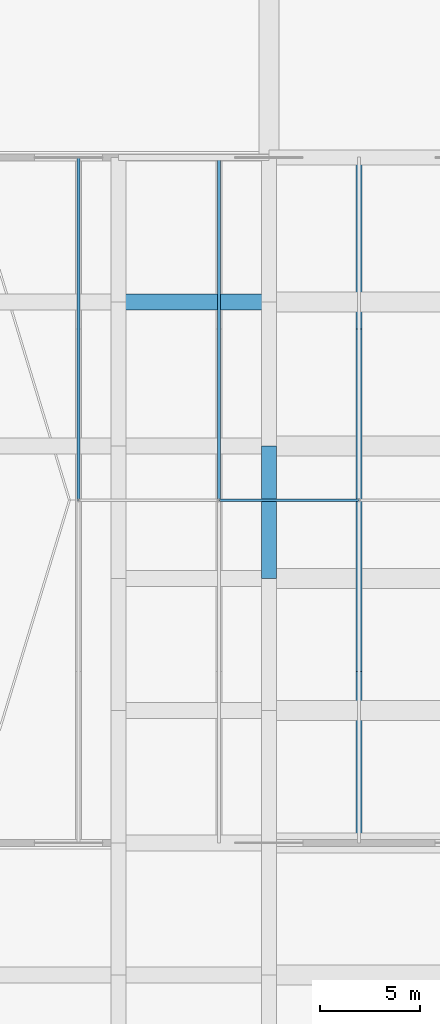
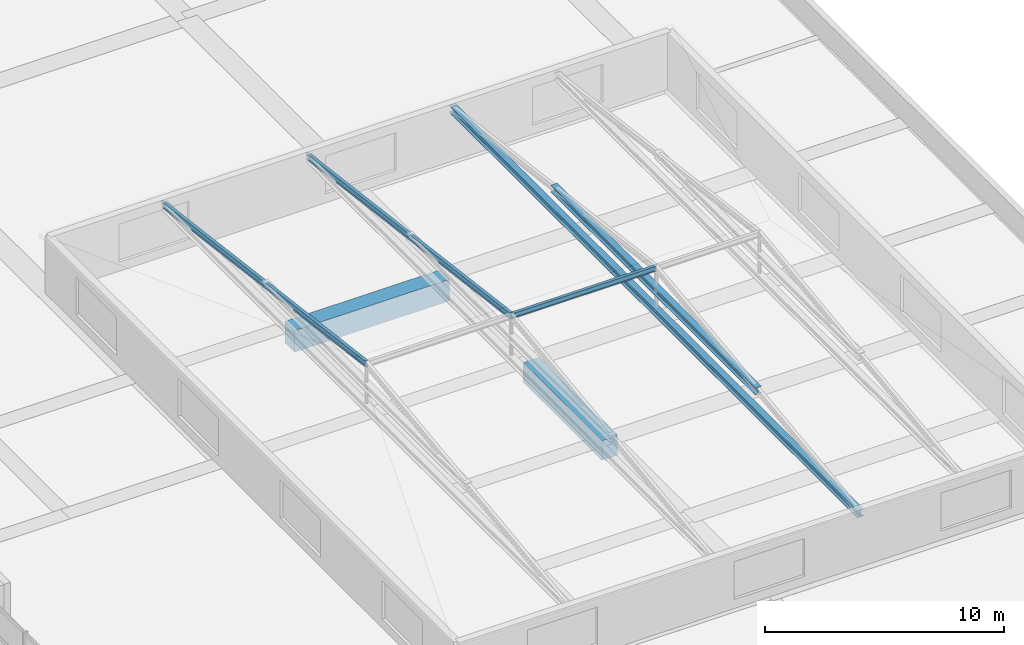
# One storey, part 27 of 49: 5 members, 2 beams.
"""IFC4 building model written with IfcOpenShell, lengths in metres."""

from ifc_helpers import new_model, si_unit, direction, frame, origin, origin_2d, place, context, subcontext, project, spatial, rectangle, i_section, extrude, material, material_profile, profile_set, type_object, element, save


model = new_model("IFC4")

# Units and contexts
model_context = context("Model", 3, precision=1e-05, world=origin(), true_north=direction((0.0, 1.0)))
body_context = subcontext(model_context, "Body", "Model", "MODEL_VIEW")
ifc_project = project(units=[si_unit("LENGTHUNIT", "METRE"), si_unit("AREAUNIT", "SQUARE_METRE"), si_unit("VOLUMEUNIT", "CUBIC_METRE"), si_unit("PLANEANGLEUNIT", "RADIAN"), si_unit("MASSUNIT", "GRAM", prefix="KILO")], contexts=[model_context])

# Site, building, storey
site_placement = place(None, origin())
site = spatial("IfcSite", under=ifc_project, at=site_placement, CompositionType="ELEMENT")
building_placement = place(site_placement, origin())
building = spatial("IfcBuilding", under=site, at=building_placement, Name="Akrevak Sports Hall", CompositionType="ELEMENT")
storey_placement = place(building_placement, frame((0.0, 0.0, 24.14990234375)))
storey = spatial("IfcBuildingStorey", under=building, at=storey_placement, Name="L04", CompositionType="ELEMENT", Elevation=24.14990234375)

# Beams
ifc_material_1 = material(Name="Concrete C50/60", Category="concrete")
ifc_material_profile_1 = material_profile(ifc_material_1, rectangle(XDim=0.75, YDim=1.0, at=origin_2d()), Name="BM 750x1000", Category="concrete")
ifc_profile_set_1 = profile_set([ifc_material_profile_1], Name="Concrete C50/60")
beam_type_1 = type_object("IfcBeamType", Name="STR-BM-RC750x1000", PredefinedType="BEAM", material=ifc_profile_set_1)
beam_1_placement = place(storey_placement, frame((145.5, 48.60009765625, -0.5), z_axis=(0.0, 1.0, 0.0), x_axis=(-1.0, 0.0, 0.0)))
element("IfcBeam", 1, at=beam_1_placement, inside=storey, type_object=beam_type_1, Name="Girder 20/H-I (L04)", PredefinedType="BEAM", context=body_context, shape_type="SweptSolid", body=[
    extrude(rectangle(XDim=0.75, YDim=1.0, at=origin_2d()), origin(), (0.0, 0.0, 1.0), 6.599853515625),
])
ifc_material_profile_2 = material_profile(ifc_material_1, rectangle(XDim=0.800048828125, YDim=1.10009765625, at=origin_2d()), Name="BM 800x1100", Category="concrete")
ifc_profile_set_2 = profile_set([ifc_material_profile_2], Name="Concrete C50/60")
beam_type_2 = type_object("IfcBeamType", Name="STR-BM-RC800x1100", PredefinedType="BEAM", material=ifc_profile_set_2)
beam_2_placement = place(storey_placement, frame((138.0, 62.39990234375, -0.5498046875), z_axis=(1.0, 0.0, 0.0), x_axis=(0.0, 1.0, 0.0)))
element("IfcBeam", 2, at=beam_2_placement, inside=storey, type_object=beam_type_2, Name="Girder J/19-20 (L04)", PredefinedType="BEAM", context=body_context, shape_type="SweptSolid", body=[
    extrude(rectangle(XDim=0.800048828125, YDim=1.10009765625, at=origin_2d()), origin(), (0.0, 0.0, 1.0), 7.5),
])

# Members
ifc_material_2 = material(Name="Steel S355", Category="steel")
ifc_material_profile_3 = material_profile(ifc_material_2, i_section(OverallWidth=0.300048828125, OverallDepth=0.360107421875, WebThickness=0.012451171875, FlangeThickness=0.0224609375, FilletRadius=0.027099609375, at=origin_2d()), Name="HEB 360", Category="steel")
ifc_profile_set_3 = profile_set([ifc_material_profile_3], Name="Steel S355")
member_type_1 = type_object("IfcMemberType", Name="STR-MEM-CHORD-HEB360", PredefinedType="CHORD", material=ifc_profile_set_3)
member_1_placement = place(storey_placement, frame((150.0, 43.949951171875, 3.690185546875), z_axis=(0.0, 1.0, 0.0), x_axis=(-1.0, 0.0, 0.0)))
element("IfcMember", 3, at=member_1_placement, inside=storey, type_object=member_type_1, Name="East Volleyball & Climbing Hall Monitor Roof Collar Tie Chord 3", PredefinedType="CHORD", context=body_context, shape_type="SweptSolid", body=[
    extrude(i_section(OverallWidth=0.300048828125, OverallDepth=0.360107421875, WebThickness=0.012451171875, FlangeThickness=0.0224609375, FilletRadius=0.027099609375, at=origin_2d()), origin(), (0.0, 0.0, 1.0), 17.10009765625),
])
member_2_placement = place(storey_placement, frame((150.0, 35.39990234375, 2.60009765625), z_axis=(0.0, 1.0, 0.0), x_axis=(-1.0, 0.0, 0.0)))
element("IfcMember", 4, at=member_2_placement, inside=storey, type_object=member_type_1, Name="East Volleyball & Climbing Hall Monitor Roof Bottom Tie Chord 3", PredefinedType="CHORD", context=body_context, shape_type="SweptSolid", body=[
    extrude(i_section(OverallWidth=0.300048828125, OverallDepth=0.360107421875, WebThickness=0.012451171875, FlangeThickness=0.0224609375, FilletRadius=0.027099609375, at=origin_2d()), origin(), (0.0, 0.0, 1.0), 34.2001953125),
])
ifc_material_profile_4 = material_profile(ifc_material_2, i_section(OverallWidth=0.135009765625, OverallDepth=0.27001953125, WebThickness=0.006591796875, FlangeThickness=0.01025390625, FilletRadius=0.014892578125, at=origin_2d()), Name="IPE 270", Category="steel")
ifc_profile_set_4 = profile_set([ifc_material_profile_4], Name="Steel S355")
member_type_2 = type_object("IfcMemberType", Name="STR-MEM-PUR-IPE270", PredefinedType="PURLIN", material=ifc_profile_set_4)
member_3_placement = place(storey_placement, frame((143.0, 52.5, 4.780029296875), z_axis=(1.0, 0.0, 0.0), x_axis=(0.0, 1.0, 0.0)))
element("IfcMember", 5, at=member_3_placement, inside=storey, type_object=member_type_2, Name="East Volleyball & Climbing Hall Monitor Roof Ridge Steel Purlin 2", PredefinedType="PURLIN", context=body_context, shape_type="SweptSolid", body=[
    extrude(i_section(OverallWidth=0.135009765625, OverallDepth=0.27001953125, WebThickness=0.006591796875, FlangeThickness=0.01025390625, FilletRadius=0.014892578125, at=origin_2d()), origin(), (0.0, 0.0, 1.0), 7.0),
])
ifc_material_profile_5 = material_profile(ifc_material_2, i_section(OverallWidth=0.14990234375, OverallDepth=0.300048828125, WebThickness=0.007080078125, FlangeThickness=0.0107421875, FilletRadius=0.014892578125, at=origin_2d()), Name="IPE 300", Category="steel")
ifc_profile_set_5 = profile_set([ifc_material_profile_5], Name="Steel S355")
member_type_3 = type_object("IfcMemberType", Name="STR-MEM-RAF-IPE300", PredefinedType="RAFTER", material=ifc_profile_set_5)
for number, where, z_axis, x_axis, name in (
    (6, (136.0, 69.60009765625, 2.60009765625), (0.0, -0.99197205839, 0.126457247214), (1.0, 0.0, 0.0), "East Volleyball & Climbing Hall Monitor Roof North Steel Rafter 1"),
    (7, (143.0, 69.60009765625, 2.60009765625), (0.0, -0.99197205839, 0.126457247214), (1.0, 0.0, 0.0), "East Volleyball & Climbing Hall Monitor Roof North Steel Rafter 2"),
):
    element("IfcMember", number, at=place(storey_placement, frame(where, z_axis=z_axis, x_axis=x_axis)), inside=storey, type_object=member_type_3, Name=name, PredefinedType="RAFTER", context=body_context, shape_type="SweptSolid", body=[
        extrude(i_section(OverallWidth=0.14990234375, OverallDepth=0.300048828125, WebThickness=0.007080078125, FlangeThickness=0.0107421875, FilletRadius=0.014892578125, at=origin_2d()), origin(), (0.0, 0.0, 1.0), 17.238525390625),
    ])

save(model, "model.ifc")
